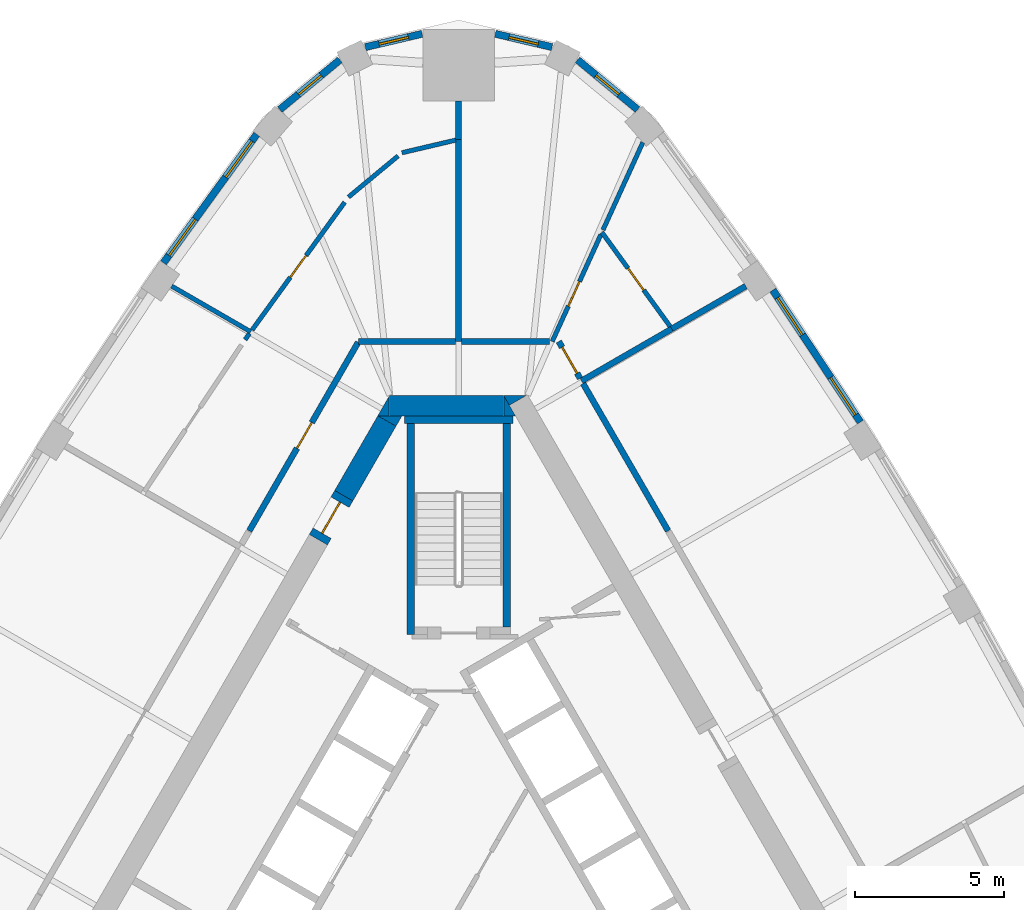
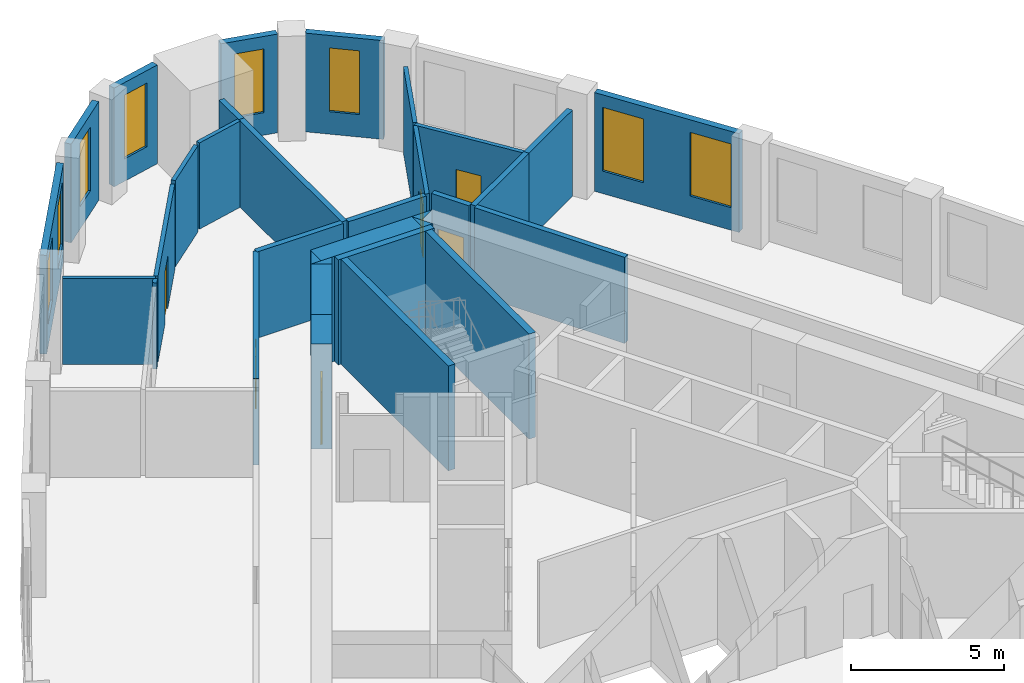
# One storey, part 8 of 10: 33 walls, 8 windows, 6 doors, 14 openings.
"""IFC4 building model written with IfcOpenShell, lengths in metres."""

import ifcopenshell
import ifcopenshell.guid

model = None  # the IFC model being written
_history = None  # IfcOwnerHistory: only IFC2X3 demands one
_inside = {}  # id of a spatial element -> (the spatial element, [elements in it])
_under = {}  # id of a project, library or spatial element -> (it, [spatial elements below it])
_declared = {}  # id of a project -> (the project, [libraries it declares])
_typed = {}  # id of a type object -> (the type object, [elements of that type])
_made_of = {}  # id of a material, layer set ... -> (it, [elements and type objects made of it])


def new_model(schema):
    """Start an empty IFC model of exactly this schema.

    Asked for "IFC4X3", IfcOpenShell would pick the latest addendum, in which some entities
    have other attributes; the version numbers below select the first issue.
    IFC2X3 requires an IfcOwnerHistory on every rooted entity: one is made here for all.
    """
    global model, _history
    if schema == "IFC4X3":
        model = ifcopenshell.file(schema_version=(4, 3, 0, 0))
    else:
        model = ifcopenshell.file(schema=schema)
    _inside.clear()
    _under.clear()
    _declared.clear()
    _typed.clear()
    _made_of.clear()
    _history = None
    if model.schema == "IFC2X3":
        org = make("IfcOrganization", Name="unknown")
        user = make(
            "IfcPersonAndOrganization",
            ThePerson=make("IfcPerson", FamilyName="unknown"),
            TheOrganization=org,
        )
        app = make(
            "IfcApplication",
            ApplicationDeveloper=org,
            Version="unknown",
            ApplicationFullName="unknown",
            ApplicationIdentifier="unknown",
        )
        _history = make(
            "IfcOwnerHistory",
            OwningUser=user,
            OwningApplication=app,
            ChangeAction="ADDED",
            CreationDate=0,
        )
    return model


def make(cls, **values):
    """One entity of the class cls with the attributes given. An attribute that is None is left unset."""
    return model.create_entity(
        cls, **{name: value for name, value in values.items() if value is not None}
    )


def rooted(cls, **values):
    """An entity with a GlobalId (a new one), such as an element, a storey or a relation."""
    return make(cls, GlobalId=ifcopenshell.guid.new(), OwnerHistory=_history, **values)


def si_unit(unit_type, name, prefix=None):
    """IfcSIUnit, for example si_unit("LENGTHUNIT", "METRE", prefix="MILLI")."""
    return make("IfcSIUnit", UnitType=unit_type, Prefix=prefix, Name=name)


def assignment(units):
    """IfcUnitAssignment: the units of a project."""
    return None if units is None else make("IfcUnitAssignment", Units=units)


def point(xyz):
    """IfcCartesianPoint."""
    return None if xyz is None else make("IfcCartesianPoint", Coordinates=xyz)


def direction(xyz):
    """IfcDirection."""
    return None if xyz is None else make("IfcDirection", DirectionRatios=xyz)


def frame(location, z_axis=None, x_axis=None):
    """IfcAxis2Placement3D, a coordinate frame: its origin and axes. An axis left out is left unset."""
    return make(
        "IfcAxis2Placement3D",
        Location=point(location),
        Axis=direction(z_axis),
        RefDirection=direction(x_axis),
    )


def frame_2d(location, x_axis=None):
    """IfcAxis2Placement2D, a coordinate frame in the plane: its origin and x axis."""
    return make(
        "IfcAxis2Placement2D", Location=point(location), RefDirection=direction(x_axis)
    )


def origin():
    """The frame at (0, 0, 0) with its axes left unset."""
    return frame((0.0, 0.0, 0.0))


def place(relative_to, where):
    """IfcLocalPlacement: puts the frame where relative to a parent placement (None: the world)."""
    return make(
        "IfcLocalPlacement", PlacementRelTo=relative_to, RelativePlacement=where
    )


def context(
    kind, dimensions, precision=None, world=None, true_north=None, identifier=None
):
    """IfcGeometricRepresentationContext, for example the 3D "Model" context."""
    return make(
        "IfcGeometricRepresentationContext",
        ContextIdentifier=identifier,
        ContextType=kind,
        CoordinateSpaceDimension=dimensions,
        Precision=precision,
        WorldCoordinateSystem=world,
        TrueNorth=true_north,
    )


def subcontext(parent, identifier, kind, view, scale=None):
    """IfcGeometricRepresentationSubContext, for example "Body" below "Model"."""
    return make(
        "IfcGeometricRepresentationSubContext",
        ContextIdentifier=identifier,
        ContextType=kind,
        ParentContext=parent,
        TargetScale=scale,
        TargetView=view,
    )


def project(units=None, contexts=None):
    """IfcProject with its units and contexts."""
    return rooted(
        "IfcProject",
        Name="project",
        RepresentationContexts=contexts,
        UnitsInContext=assignment(units),
    )


def spatial(cls, under=None, at=None, **own):
    """A site, building, storey or space (cls), placed at a placement, below another one or the project."""
    s = rooted(cls, ObjectPlacement=at, **own)
    if under is not None:
        _under.setdefault(under.id(), (under, []))[1].append(s)
    return s


def polyline(points):
    """IfcPolyline through the points."""
    return make("IfcPolyline", Points=[point(p) for p in points])


def profile(cls, at=None, kind="AREA", **sizes):
    """A parametric profile (cls). Its sizes go by their IFC names, for example OverallWidth=200.0."""
    return make(cls, ProfileType=kind, Position=at, **sizes)


def rectangle(**sizes):
    """IfcRectangleProfileDef."""
    return profile("IfcRectangleProfileDef", **sizes)


def outline(outer, holes=None, kind="AREA"):
    """IfcArbitraryClosedProfileDef: a profile drawn as a closed curve; with holes, ...WithVoids."""
    if holes is None:
        return make("IfcArbitraryClosedProfileDef", ProfileType=kind, OuterCurve=outer)
    return make(
        "IfcArbitraryProfileDefWithVoids",
        ProfileType=kind,
        OuterCurve=outer,
        InnerCurves=holes,
    )


def extrude(swept, where, along, depth):
    """IfcExtrudedAreaSolid: the profile swept, set in the frame where, extruded along a direction by depth."""
    return make(
        "IfcExtrudedAreaSolid",
        SweptArea=swept,
        Position=where,
        ExtrudedDirection=direction(along),
        Depth=depth,
    )


def shape(context_of_items, identifier, shape_type, items):
    """IfcShapeRepresentation: the items that make up one representation, for example the "Body"."""
    return make(
        "IfcShapeRepresentation",
        ContextOfItems=context_of_items,
        RepresentationIdentifier=identifier,
        RepresentationType=shape_type,
        Items=items,
    )


def material(Name=None, Category=None):
    """IfcMaterial."""
    return make("IfcMaterial", Name=Name, Category=Category)


def layer(
    of_material, thickness, ventilated=None, Name=None, Category=None, Priority=None
):
    """IfcMaterialLayer: one layer of a wall or slab, of a material (None: an air gap)."""
    return make(
        "IfcMaterialLayer",
        Material=of_material,
        LayerThickness=thickness,
        IsVentilated=ventilated,
        Name=Name,
        Category=Category,
        Priority=Priority,
    )


def layer_set(layers, Name=None):
    """IfcMaterialLayerSet."""
    return make("IfcMaterialLayerSet", MaterialLayers=layers, LayerSetName=Name)


def made_of(thing, what):
    """Note that an element or type object is made of a material, layer set ...; save() writes the relation."""
    if what is not None:
        _made_of.setdefault(what.id(), (what, []))[1].append(thing)
    return thing


def type_object(cls, material=None, **own):
    """A type object (cls), such as IfcWallType, which elements share."""
    return made_of(rooted(cls, **own), material)


def element(
    cls,
    number,
    at=None,
    inside=None,
    cuts=None,
    type_object=None,
    material=None,
    context=None,
    identifier="Body",
    shape_type=None,
    held_by="IfcProductDefinitionShape",
    body=None,
    shapes=None,
    **own,
):
    """One element of the class cls, such as IfcWall. Its Tag is "e" and its number.

    at: its placement. inside: the storey or other place that contains it. cuts: it is an
    opening in that element (IfcRelVoidsElement). A single representation is given by context,
    identifier, shape_type and body (its items); several are given by shapes. held_by: the class
    of the entity that holds the representations. save() writes the other relations.
    """
    e = rooted(cls, Tag="e%d" % number, ObjectPlacement=at, **own)
    if body is not None:
        shapes = [shape(context, identifier, shape_type, body)]
    if shapes is not None:
        e.Representation = make(held_by, Representations=shapes)
    if inside is not None:
        _inside.setdefault(inside.id(), (inside, []))[1].append(e)
    if cuts is not None:
        rooted(
            "IfcRelVoidsElement", RelatingBuildingElement=cuts, RelatedOpeningElement=e
        )
    if type_object is not None:
        _typed.setdefault(type_object.id(), (type_object, []))[1].append(e)
    return made_of(e, material)


def fill(opening, filler):
    """IfcRelFillsElement: the door or window that sits in an opening."""
    return rooted(
        "IfcRelFillsElement",
        RelatingOpeningElement=opening,
        RelatedBuildingElement=filler,
    )


def aggregate(whole, parts):
    """IfcRelAggregates: a whole, such as a stair, and the parts it consists of."""
    return rooted("IfcRelAggregates", RelatingObject=whole, RelatedObjects=parts)


def save(model, path):
    """Write the relations noted so far, then the file.

    IfcRelAggregates (storeys below a building ...), IfcRelContainedInSpatialStructure (elements
    in a storey), IfcRelDefinesByType, IfcRelAssociatesMaterial and IfcRelDeclares: one each for
    every whole, place, type object, material and project.
    """
    for whole, parts in _under.values():
        aggregate(whole, parts)
    for where, things in _inside.values():
        rooted(
            "IfcRelContainedInSpatialStructure",
            RelatedElements=things,
            RelatingStructure=where,
        )
    for kind, things in _typed.values():
        rooted("IfcRelDefinesByType", RelatedObjects=things, RelatingType=kind)
    for what, things in _made_of.values():
        rooted("IfcRelAssociatesMaterial", RelatedObjects=things, RelatingMaterial=what)
    for by, libraries in _declared.values():
        rooted("IfcRelDeclares", RelatingContext=by, RelatedDefinitions=libraries)
    model.write(path)


model = new_model("IFC4")

# Units and contexts
model_context = context("Model", 3, precision=1e-05, world=origin(), true_north=direction((0.0, 1.0)))
body_context = subcontext(model_context, "Body", "Model", "MODEL_VIEW")
ifc_project = project(units=[si_unit("LENGTHUNIT", "METRE"), si_unit("AREAUNIT", "SQUARE_METRE"), si_unit("VOLUMEUNIT", "CUBIC_METRE"), si_unit("PLANEANGLEUNIT", "RADIAN"), si_unit("MASSUNIT", "GRAM", prefix="KILO")], contexts=[model_context])

# Site, building, storey
site_placement = place(None, origin())
site = spatial("IfcSite", under=ifc_project, at=site_placement, CompositionType="ELEMENT")
building_placement = place(site_placement, origin())
building = spatial("IfcBuilding", under=site, at=building_placement, Name="Mestral Congress Tower", CompositionType="ELEMENT")
storey_placement = place(building_placement, frame((0.0, 0.0, 247.800048828125)))
storey = spatial("IfcBuildingStorey", under=building, at=storey_placement, Name="L58", CompositionType="ELEMENT", Elevation=247.800048828125)

# Walls
ifc_material_1 = material(Name="Concrete C60/75", Category="concrete")
ifc_layer_1 = layer(ifc_material_1, 0.699951171875)
ifc_layer_set_1 = layer_set([ifc_layer_1], Name="Concrete C60/75")
wall_type_1 = type_object("IfcWallType", Name="Core wall RC 700", PredefinedType="SOLIDWALL", material=ifc_layer_set_1)
placement = place(storey_placement, origin())
element("IfcWall", 1, at=placement, inside=storey, type_object=wall_type_1, Name="L58 core wall", PredefinedType="SOLIDWALL", context=body_context, shape_type="SweptSolid", body=[
    extrude(outline(polyline([(1.501220703125, 16.699951171875), (2.277099609375, 16.699951171875), (1.695068359375, 16.364013671875), (1.501220703125, 16.699951171875)])), origin(), (0.0, 0.0, 1.0), 4.199951171875),
])
wall_2_placement = place(storey_placement, frame((-2.323486328125, 16.35009765625, 0.0), z_axis=(0.0, 0.0, 1.0), x_axis=(1.0, 0.0, 0.0)))
element("IfcWall", 2, at=wall_2_placement, inside=storey, type_object=wall_type_1, Name="L58 core wall", PredefinedType="SOLIDWALL", context=body_context, shape_type="SweptSolid", body=[
    extrude(rectangle(XDim=3.828857421875, YDim=0.699951171875, at=frame_2d((1.91455078125, 0.0))), origin(), (0.0, 0.0, 1.0), 4.199951171875),
])
element("IfcWall", 3, at=placement, inside=storey, type_object=wall_type_1, Name="L58 core wall", PredefinedType="SOLIDWALL", context=body_context, shape_type="SweptSolid", body=[
    extrude(outline(polyline([(1.9052734375, 16.0), (1.50732421875, 16.0), (1.50732421875, 16.689208984375), (1.9052734375, 16.0)])), origin(), (0.0, 0.0, 1.0), 4.199951171875),
])
element("IfcWall", 4, at=placement, inside=storey, type_object=wall_type_1, Name="L58 core wall", PredefinedType="SOLIDWALL", context=body_context, shape_type="SweptSolid", body=[
    extrude(outline(polyline([(-2.71337890625, 16.0), (-2.325439453125, 16.672119140625), (-2.325439453125, 16.0), (-2.71337890625, 16.0)])), origin(), (0.0, 0.0, 1.0), 4.199951171875),
])
wall_5_placement = place(storey_placement, frame((-2.4033203125, 15.837158203125, 0.0), z_axis=(0.0, 0.0, 1.0), x_axis=(-0.500008214683, -0.866020660983, 0.0)))
element("IfcWall", 5, at=wall_5_placement, inside=storey, type_object=wall_type_1, Name="L58 core wall", PredefinedType="SOLIDWALL", context=body_context, shape_type="SweptSolid", body=[
    extrude(rectangle(XDim=2.88427734375, YDim=0.699951171875, at=frame_2d((1.442138671875, 0.0))), origin(), (0.0, 0.0, 1.0), 4.199951171875),
])
element("IfcWall", 6, at=placement, inside=storey, type_object=wall_type_1, Name="L58 core wall", PredefinedType="SOLIDWALL", context=body_context, shape_type="SweptSolid", body=[
    extrude(outline(polyline([(-1.9052734375, 16.0), (-2.099365234375, 15.6640625), (-2.681396484375, 16.0), (-1.9052734375, 16.0)])), origin(), (0.0, 0.0, 1.0), 4.199951171875),
])

# Wall, opening, door
wall_7_placement = place(storey_placement, frame((-4.695556640625, 11.866943359375, 0.0), z_axis=(0.0, 0.0, 1.0), x_axis=(0.499892348375, 0.866087547558, 0.0)))
wall_7 = element("IfcWall", 7, at=wall_7_placement, inside=storey, type_object=wall_type_1, Name="L58 door wall", PredefinedType="SOLIDWALL", context=body_context, shape_type="SweptSolid", body=[
    extrude(rectangle(XDim=1.699951171875, YDim=0.699951171875, at=frame_2d((0.85009765625, 0.0))), origin(), (0.0, 0.0, 1.0), 4.199951171875),
])
opening_1_placement = place(wall_7_placement, frame((0.25, 0.0, 0.0)))
opening_1 = element("IfcOpeningElement", 8, at=opening_1_placement, cuts=wall_7, Name="Opening XD2", PredefinedType="OPENING", context=body_context, shape_type="SweptSolid", body=[
    extrude(rectangle(XDim=1.199951171875, YDim=2.10009765625, at=frame_2d((0.60009765625, 1.050048828125))), frame((0.0, 0.35986328125, 0.0), z_axis=(0.0, -1.0, 0.0), x_axis=(1.0, 0.0, 0.0)), (0.0, 0.0, 1.0), 0.719970703125),
])
ifc_material_2 = material(Name="Fire-rated steel door set", Category="steel")
door_type_1 = type_object("IfcDoorType", Name="Core door XD 1200x2100", OperationType="SINGLE_SWING_LEFT", PredefinedType="DOOR", material=ifc_material_2)
door_1_placement = place(opening_1_placement, origin())
door_1 = element("IfcDoor", 9, at=door_1_placement, inside=storey, type_object=door_type_1, Name="Door XD2", OperationType="SINGLE_SWING_LEFT", OverallHeight=2.10009765625, OverallWidth=1.199951171875, PredefinedType="DOOR", context=body_context, shape_type="SweptSolid", body=[
    extrude(rectangle(XDim=1.199951171875, YDim=2.10009765625, at=frame_2d((0.60009765625, 1.050048828125))), frame((0.0, 0.02490234375, 0.0), z_axis=(0.0, -1.0, 0.0), x_axis=(1.0, 0.0, 0.0)), (0.0, 0.0, 1.0), 0.050048828125),
])
fill(opening_1, door_1)

# Wall, openings, windows
ifc_material_3 = material(Name="Precast concrete C40/50 with limestone facing", Category="masonry")
ifc_layer_2 = layer(ifc_material_3, 0.239990234375)
ifc_layer_set_2 = layer_set([ifc_layer_2], Name="Precast concrete C40/50 with limestone facing")
wall_type_2 = type_object("IfcWallType", Name="Facade stone wall 240", PredefinedType="SOLIDWALL", material=ifc_layer_set_2)
wall_8_placement = place(storey_placement, frame((13.442138671875, 15.803466796875, 0.0), z_axis=(0.0, 0.0, 1.0), x_axis=(-0.552901821755, 0.833246407433, 0.0)))
wall_8 = element("IfcWall", 10, at=wall_8_placement, inside=storey, type_object=wall_type_2, Name="Facade wall F1-04", PredefinedType="SOLIDWALL", context=body_context, shape_type="SweptSolid", body=[
    extrude(rectangle(XDim=5.29833984375, YDim=0.239990234375, at=frame_2d((2.649169921875, 0.0))), origin(), (0.0, 0.0, 1.0), 3.949951171875),
])
opening_2_placement = place(wall_8_placement, frame((0.294677734375, 0.0, 0.89990234375)))
opening_2 = element("IfcOpeningElement", 11, at=opening_2_placement, cuts=wall_8, Name="Opening W4", PredefinedType="OPENING", context=body_context, shape_type="SweptSolid", body=[
    extrude(rectangle(XDim=1.5, YDim=2.550048828125, at=frame_2d((0.75, 1.27490234375))), frame((0.0, 0.1298828125, 0.0), z_axis=(0.0, -1.0, 0.0), x_axis=(1.0, 0.0, 0.0)), (0.0, 0.0, 1.0), 0.260009765625),
])
opening_3_placement = place(wall_8_placement, frame((3.50390625, 0.0, 0.89990234375)))
opening_3 = element("IfcOpeningElement", 12, at=opening_3_placement, cuts=wall_8, Name="Opening W4", PredefinedType="OPENING", context=body_context, shape_type="SweptSolid", body=[
    extrude(rectangle(XDim=1.5, YDim=2.550048828125, at=frame_2d((0.75, 1.27490234375))), frame((0.0, 0.1298828125, 0.0), z_axis=(0.0, -1.0, 0.0), x_axis=(1.0, 0.0, 0.0)), (0.0, 0.0, 1.0), 0.260009765625),
])
ifc_material_4 = material(Name="Clear low-emissivity double glazing", Category="glass")
window_type_1 = type_object("IfcWindowType", Name="Facade punched window 1500 x 2550 sill 900", PartitioningType="SINGLE_PANEL", PredefinedType="WINDOW", material=ifc_material_4)
window_1_placement = place(opening_2_placement, origin())
window_1 = element("IfcWindow", 13, at=window_1_placement, inside=storey, type_object=window_type_1, Name="Window F1-04a", OverallHeight=2.550048828125, OverallWidth=1.5, PartitioningType="SINGLE_PANEL", PredefinedType="WINDOW", context=body_context, shape_type="SweptSolid", body=[
    extrude(rectangle(XDim=1.5, YDim=2.550048828125, at=frame_2d((0.75, 1.27490234375))), frame((0.0, 0.0400390625, 0.0), z_axis=(0.0, -1.0, 0.0), x_axis=(1.0, 0.0, 0.0)), (0.0, 0.0, 1.0), 0.06005859375),
])
fill(opening_2, window_1)
window_2_placement = place(opening_3_placement, origin())
window_2 = element("IfcWindow", 14, at=window_2_placement, inside=storey, type_object=window_type_1, Name="Window F1-04b", OverallHeight=2.550048828125, OverallWidth=1.5, PartitioningType="SINGLE_PANEL", PredefinedType="WINDOW", context=body_context, shape_type="SweptSolid", body=[
    extrude(rectangle(XDim=1.5, YDim=2.550048828125, at=frame_2d((0.75, 1.27490234375))), frame((0.0, 0.0400390625, 0.0), z_axis=(0.0, -1.0, 0.0), x_axis=(1.0, 0.0, 0.0)), (0.0, 0.0, 1.0), 0.06005859375),
])
fill(opening_3, window_2)

# Wall, opening, window
wall_9_placement = place(storey_placement, frame((5.986572265625, 26.259033203125, 0.0), z_axis=(0.0, 0.0, 1.0), x_axis=(-0.769990037733, 0.638055908045, 0.0)))
wall_9 = element("IfcWall", 15, at=wall_9_placement, inside=storey, type_object=wall_type_2, Name="Facade wall K1-0", PredefinedType="SOLIDWALL", context=body_context, shape_type="SweptSolid", body=[
    extrude(rectangle(XDim=2.609130859375, YDim=0.239990234375, at=frame_2d((1.3046875, 0.0))), origin(), (0.0, 0.0, 1.0), 3.949951171875),
])
opening_4_placement = place(wall_9_placement, frame((0.8046875, 0.0, 0.89990234375)))
opening_4 = element("IfcOpeningElement", 16, at=opening_4_placement, cuts=wall_9, Name="Opening W5", PredefinedType="OPENING", context=body_context, shape_type="SweptSolid", body=[
    extrude(rectangle(XDim=1.0, YDim=2.550048828125, at=frame_2d((0.5, 1.27490234375))), frame((0.0, 0.1298828125, 0.0), z_axis=(0.0, -1.0, 0.0), x_axis=(1.0, 0.0, 0.0)), (0.0, 0.0, 1.0), 0.260009765625),
])
window_type_2 = type_object("IfcWindowType", Name="Facade punched window 1000 x 2550 sill 900", PartitioningType="SINGLE_PANEL", PredefinedType="WINDOW", material=ifc_material_4)
window_3_placement = place(opening_4_placement, origin())
window_3 = element("IfcWindow", 17, at=window_3_placement, inside=storey, type_object=window_type_2, Name="Window K1-0", OverallHeight=2.550048828125, OverallWidth=1.0, PartitioningType="SINGLE_PANEL", PredefinedType="WINDOW", context=body_context, shape_type="SweptSolid", body=[
    extrude(rectangle(XDim=1.0, YDim=2.550048828125, at=frame_2d((0.5, 1.27490234375))), frame((0.0, 0.0400390625, 0.0), z_axis=(0.0, -1.0, 0.0), x_axis=(1.0, 0.0, 0.0)), (0.0, 0.0, 1.0), 0.06005859375),
])
fill(opening_4, window_3)

wall_10_placement = place(storey_placement, frame((3.123046875, 28.3486328125, 0.0), z_axis=(0.0, 0.0, 1.0), x_axis=(-0.973515706272, 0.228620142686, 0.0)))
wall_10 = element("IfcWall", 18, at=wall_10_placement, inside=storey, type_object=wall_type_2, Name="Facade wall K1-1", PredefinedType="SOLIDWALL", context=body_context, shape_type="SweptSolid", body=[
    extrude(rectangle(XDim=1.94775390625, YDim=0.239990234375, at=frame_2d((0.973876953125, 0.0))), origin(), (0.0, 0.0, 1.0), 3.949951171875),
])
opening_5_placement = place(wall_10_placement, frame((0.47412109375, 0.0, 0.89990234375)))
opening_5 = element("IfcOpeningElement", 19, at=opening_5_placement, cuts=wall_10, Name="Opening W5", PredefinedType="OPENING", context=body_context, shape_type="SweptSolid", body=[
    extrude(rectangle(XDim=1.0, YDim=2.550048828125, at=frame_2d((0.5, 1.27490234375))), frame((0.0, 0.1298828125, 0.0), z_axis=(0.0, -1.0, 0.0), x_axis=(1.0, 0.0, 0.0)), (0.0, 0.0, 1.0), 0.260009765625),
])
window_4_placement = place(opening_5_placement, origin())
window_4 = element("IfcWindow", 20, at=window_4_placement, inside=storey, type_object=window_type_2, Name="Window K1-1", OverallHeight=2.550048828125, OverallWidth=1.0, PartitioningType="SINGLE_PANEL", PredefinedType="WINDOW", context=body_context, shape_type="SweptSolid", body=[
    extrude(rectangle(XDim=1.0, YDim=2.550048828125, at=frame_2d((0.5, 1.27490234375))), frame((0.0, 0.0400390625, 0.0), z_axis=(0.0, -1.0, 0.0), x_axis=(1.0, 0.0, 0.0)), (0.0, 0.0, 1.0), 0.06005859375),
])
fill(opening_5, window_4)

wall_11_placement = place(storey_placement, frame((-1.226806640625, 28.7939453125, 0.0), z_axis=(0.0, 0.0, 1.0), x_axis=(-0.973515706272, -0.228620142686, 0.0)))
wall_11 = element("IfcWall", 21, at=wall_11_placement, inside=storey, type_object=wall_type_2, Name="Facade wall K1-2", PredefinedType="SOLIDWALL", context=body_context, shape_type="SweptSolid", body=[
    extrude(rectangle(XDim=1.94775390625, YDim=0.239990234375, at=frame_2d((0.973876953125, 0.0))), origin(), (0.0, 0.0, 1.0), 3.949951171875),
])
opening_6_placement = place(wall_11_placement, frame((0.47412109375, 0.0, 0.89990234375)))
opening_6 = element("IfcOpeningElement", 22, at=opening_6_placement, cuts=wall_11, Name="Opening W5", PredefinedType="OPENING", context=body_context, shape_type="SweptSolid", body=[
    extrude(rectangle(XDim=1.0, YDim=2.550048828125, at=frame_2d((0.5, 1.27490234375))), frame((0.0, 0.1298828125, 0.0), z_axis=(0.0, -1.0, 0.0), x_axis=(1.0, 0.0, 0.0)), (0.0, 0.0, 1.0), 0.260009765625),
])
window_5_placement = place(opening_6_placement, origin())
window_5 = element("IfcWindow", 23, at=window_5_placement, inside=storey, type_object=window_type_2, Name="Window K1-2", OverallHeight=2.550048828125, OverallWidth=1.0, PartitioningType="SINGLE_PANEL", PredefinedType="WINDOW", context=body_context, shape_type="SweptSolid", body=[
    extrude(rectangle(XDim=1.0, YDim=2.550048828125, at=frame_2d((0.5, 1.27490234375))), frame((0.0, 0.0400390625, 0.0), z_axis=(0.0, -1.0, 0.0), x_axis=(1.0, 0.0, 0.0)), (0.0, 0.0, 1.0), 0.06005859375),
])
fill(opening_6, window_5)

wall_12_placement = place(storey_placement, frame((-3.9775390625, 27.923828125, 0.0), z_axis=(0.0, 0.0, 1.0), x_axis=(-0.769990037733, -0.638055908045, 0.0)))
wall_12 = element("IfcWall", 24, at=wall_12_placement, inside=storey, type_object=wall_type_2, Name="Facade wall K1-3", PredefinedType="SOLIDWALL", context=body_context, shape_type="SweptSolid", body=[
    extrude(rectangle(XDim=2.609130859375, YDim=0.239990234375, at=frame_2d((1.3046875, 0.0))), origin(), (0.0, 0.0, 1.0), 3.949951171875),
])
opening_7_placement = place(wall_12_placement, frame((0.8046875, 0.0, 0.89990234375)))
opening_7 = element("IfcOpeningElement", 25, at=opening_7_placement, cuts=wall_12, Name="Opening W5", PredefinedType="OPENING", context=body_context, shape_type="SweptSolid", body=[
    extrude(rectangle(XDim=1.0, YDim=2.550048828125, at=frame_2d((0.5, 1.27490234375))), frame((0.0, 0.1298828125, 0.0), z_axis=(0.0, -1.0, 0.0), x_axis=(1.0, 0.0, 0.0)), (0.0, 0.0, 1.0), 0.260009765625),
])
window_6_placement = place(opening_7_placement, origin())
window_6 = element("IfcWindow", 26, at=window_6_placement, inside=storey, type_object=window_type_2, Name="Window K1-3", OverallHeight=2.550048828125, OverallWidth=1.0, PartitioningType="SINGLE_PANEL", PredefinedType="WINDOW", context=body_context, shape_type="SweptSolid", body=[
    extrude(rectangle(XDim=1.0, YDim=2.550048828125, at=frame_2d((0.5, 1.27490234375))), frame((0.0, 0.0400390625, 0.0), z_axis=(0.0, -1.0, 0.0), x_axis=(1.0, 0.0, 0.0)), (0.0, 0.0, 1.0), 0.06005859375),
])
fill(opening_7, window_6)

# Wall, openings, windows
wall_13_placement = place(storey_placement, frame((-6.760986328125, 25.431884765625, 0.0), z_axis=(0.0, 0.0, 1.0), x_axis=(-0.586998456641, -0.80958805074, 0.0)))
wall_13 = element("IfcWall", 27, at=wall_13_placement, inside=storey, type_object=wall_type_2, Name="Facade wall F2-00", PredefinedType="SOLIDWALL", context=body_context, shape_type="SweptSolid", body=[
    extrude(rectangle(XDim=5.310791015625, YDim=0.239990234375, at=frame_2d((2.6552734375, 0.0))), origin(), (0.0, 0.0, 1.0), 3.949951171875),
])
opening_8_placement = place(wall_13_placement, frame((0.271484375, 0.0, 0.89990234375)))
opening_8 = element("IfcOpeningElement", 28, at=opening_8_placement, cuts=wall_13, Name="Opening W4", PredefinedType="OPENING", context=body_context, shape_type="SweptSolid", body=[
    extrude(rectangle(XDim=1.5, YDim=2.550048828125, at=frame_2d((0.75, 1.27490234375))), frame((0.0, 0.1298828125, 0.0), z_axis=(0.0, -1.0, 0.0), x_axis=(1.0, 0.0, 0.0)), (0.0, 0.0, 1.0), 0.260009765625),
])
opening_9_placement = place(wall_13_placement, frame((3.50439453125, 0.0, 0.89990234375)))
opening_9 = element("IfcOpeningElement", 29, at=opening_9_placement, cuts=wall_13, Name="Opening W4", PredefinedType="OPENING", context=body_context, shape_type="SweptSolid", body=[
    extrude(rectangle(XDim=1.5, YDim=2.550048828125, at=frame_2d((0.75, 1.27490234375))), frame((0.0, 0.1298828125, 0.0), z_axis=(0.0, -1.0, 0.0), x_axis=(1.0, 0.0, 0.0)), (0.0, 0.0, 1.0), 0.260009765625),
])
window_7_placement = place(opening_8_placement, origin())
window_7 = element("IfcWindow", 30, at=window_7_placement, inside=storey, type_object=window_type_1, Name="Window F2-00a", OverallHeight=2.550048828125, OverallWidth=1.5, PartitioningType="SINGLE_PANEL", PredefinedType="WINDOW", context=body_context, shape_type="SweptSolid", body=[
    extrude(rectangle(XDim=1.5, YDim=2.550048828125, at=frame_2d((0.75, 1.27490234375))), frame((0.0, 0.0400390625, 0.0), z_axis=(0.0, -1.0, 0.0), x_axis=(1.0, 0.0, 0.0)), (0.0, 0.0, 1.0), 0.06005859375),
])
fill(opening_8, window_7)
window_8_placement = place(opening_9_placement, origin())
window_8 = element("IfcWindow", 31, at=window_8_placement, inside=storey, type_object=window_type_1, Name="Window F2-00b", OverallHeight=2.550048828125, OverallWidth=1.5, PartitioningType="SINGLE_PANEL", PredefinedType="WINDOW", context=body_context, shape_type="SweptSolid", body=[
    extrude(rectangle(XDim=1.5, YDim=2.550048828125, at=frame_2d((0.75, 1.27490234375))), frame((0.0, 0.0400390625, 0.0), z_axis=(0.0, -1.0, 0.0), x_axis=(1.0, 0.0, 0.0)), (0.0, 0.0, 1.0), 0.06005859375),
])
fill(opening_9, window_8)

# Wall, opening, door
ifc_material_5 = material(Name="Plasterboard partition on steel studs", Category="steel")
ifc_layer_3 = layer(ifc_material_5, 0.14990234375)
ifc_layer_set_3 = layer_set([ifc_layer_3], Name="Plasterboard partition on steel studs")
wall_type_3 = type_object("IfcWallType", Name="Office partition 150", PredefinedType="PARTITIONING", material=ifc_layer_set_3)
wall_14_placement = place(storey_placement, frame((4.791259765625, 22.15185546875, 0.0), z_axis=(0.0, 0.0, 1.0), x_axis=(0.586987127968, -0.809596264567, 0.0)))
wall_14 = element("IfcWall", 32, at=wall_14_placement, inside=storey, type_object=wall_type_3, Name="Partition", PredefinedType="PARTITIONING", context=body_context, shape_type="SweptSolid", body=[
    extrude(rectangle(XDim=3.88671875, YDim=0.14990234375, at=frame_2d((1.943359375, 0.0))), origin(), (0.0, 0.0, 1.0), 3.449951171875),
])
opening_10_placement = place(wall_14_placement, frame((1.486572265625, 0.0, 0.0)))
opening_10 = element("IfcOpeningElement", 33, at=opening_10_placement, cuts=wall_14, Name="Opening O09-009", PredefinedType="OPENING", context=body_context, shape_type="SweptSolid", body=[
    extrude(rectangle(XDim=0.89990234375, YDim=2.10009765625, at=frame_2d((0.449951171875, 1.050048828125))), frame((0.0, 0.0849609375, 0.0), z_axis=(0.0, -1.0, 0.0), x_axis=(1.0, 0.0, 0.0)), (0.0, 0.0, 1.0), 0.169921875),
])
ifc_material_6 = material(Name="Timber door set", Category="wood")
door_type_2 = type_object("IfcDoorType", Name="Office door 900x2100", OperationType="SINGLE_SWING_LEFT", PredefinedType="DOOR", material=ifc_material_6)
door_2_placement = place(opening_10_placement, origin())
door_2 = element("IfcDoor", 34, at=door_2_placement, inside=storey, type_object=door_type_2, Name="Door O09-009", OperationType="SINGLE_SWING_LEFT", OverallHeight=2.10009765625, OverallWidth=0.89990234375, PredefinedType="DOOR", context=body_context, shape_type="SweptSolid", body=[
    extrude(rectangle(XDim=0.89990234375, YDim=2.10009765625, at=frame_2d((0.449951171875, 1.050048828125))), frame((0.0, 0.02490234375, 0.0), z_axis=(0.0, -1.0, 0.0), x_axis=(1.0, 0.0, 0.0)), (0.0, 0.0, 1.0), 0.050048828125),
])
fill(opening_10, door_2)

# Wall
wall_15_placement = place(storey_placement, frame((4.826904296875, 22.230224609375, 0.0), z_axis=(0.0, 0.0, 1.0), x_axis=(0.414339921123, 0.91012220595, 0.0)))
element("IfcWall", 35, at=wall_15_placement, inside=storey, type_object=wall_type_3, Name="Partition", PredefinedType="PARTITIONING", context=body_context, shape_type="SweptSolid", body=[
    extrude(rectangle(XDim=3.219482421875, YDim=0.14990234375, at=frame_2d((1.60986328125, 0.0))), origin(), (0.0, 0.0, 1.0), 3.449951171875),
])

# Wall, opening, door
wall_16_placement = place(storey_placement, frame((3.12890625, 18.5, 0.0), z_axis=(0.0, 0.0, 1.0), x_axis=(0.414332290546, 0.910125679789, 0.0)))
wall_16 = element("IfcWall", 36, at=wall_16_placement, inside=storey, type_object=wall_type_3, Name="Partition", PredefinedType="PARTITIONING", context=body_context, shape_type="SweptSolid", body=[
    extrude(rectangle(XDim=3.926025390625, YDim=0.14990234375, at=frame_2d((1.962890625, 0.0))), origin(), (0.0, 0.0, 1.0), 3.449951171875),
])
opening_11_placement = place(wall_16_placement, frame((1.300048828125, 0.0, 0.0)))
opening_11 = element("IfcOpeningElement", 37, at=opening_11_placement, cuts=wall_16, Name="Opening O09-011", PredefinedType="OPENING", context=body_context, shape_type="SweptSolid", body=[
    extrude(rectangle(XDim=0.89990234375, YDim=2.10009765625, at=frame_2d((0.449951171875, 1.050048828125))), frame((0.0, 0.0849609375, 0.0), z_axis=(0.0, -1.0, 0.0), x_axis=(1.0, 0.0, 0.0)), (0.0, 0.0, 1.0), 0.169921875),
])
door_3_placement = place(opening_11_placement, origin())
door_3 = element("IfcDoor", 38, at=door_3_placement, inside=storey, type_object=door_type_2, Name="Door O09-011", OperationType="SINGLE_SWING_LEFT", OverallHeight=2.10009765625, OverallWidth=0.89990234375, PredefinedType="DOOR", context=body_context, shape_type="SweptSolid", body=[
    extrude(rectangle(XDim=0.89990234375, YDim=2.10009765625, at=frame_2d((0.449951171875, 1.050048828125))), frame((0.0, 0.02490234375, 0.0), z_axis=(0.0, -1.0, 0.0), x_axis=(1.0, 0.0, 0.0)), (0.0, 0.0, 1.0), 0.050048828125),
])
fill(opening_11, door_3)

# Walls
wall_17_placement = place(storey_placement, frame((-6.957763671875, 18.8232421875, 0.0), z_axis=(0.0, 0.0, 1.0), x_axis=(-0.866008752819, 0.500028839209, 0.0)))
element("IfcWall", 39, at=wall_17_placement, inside=storey, type_object=wall_type_3, Name="Partition", PredefinedType="PARTITIONING", context=body_context, shape_type="SweptSolid", body=[
    extrude(rectangle(XDim=3.057861328125, YDim=0.14990234375, at=frame_2d((1.52880859375, 0.0))), origin(), (0.0, 0.0, 1.0), 3.449951171875),
])
wall_18_placement = place(storey_placement, frame((-0.10009765625, 25.2373046875, 0.0), z_axis=(0.0, 0.0, 1.0), x_axis=(-0.973501996937, -0.22867851224, 0.0)))
element("IfcWall", 40, at=wall_18_placement, inside=storey, type_object=wall_type_3, Name="Partition", PredefinedType="PARTITIONING", context=body_context, shape_type="SweptSolid", body=[
    extrude(rectangle(XDim=1.84814453125, YDim=0.14990234375, at=frame_2d((0.924072265625, 0.0))), origin(), (0.0, 0.0, 1.0), 3.449951171875),
])
wall_19_placement = place(storey_placement, frame((-2.02880859375, 24.707275390625, 0.0), z_axis=(0.0, 0.0, 1.0), x_axis=(-0.769991356208, -0.63805431694, 0.0)))
element("IfcWall", 41, at=wall_19_placement, inside=storey, type_object=wall_type_3, Name="Partition", PredefinedType="PARTITIONING", context=body_context, shape_type="SweptSolid", body=[
    extrude(rectangle(XDim=2.15576171875, YDim=0.14990234375, at=frame_2d((1.077880859375, 0.0))), origin(), (0.0, 0.0, 1.0), 3.449951171875),
])

# Wall, opening, door
wall_20_placement = place(storey_placement, frame((-6.913330078125, 18.884521484375, 0.0), z_axis=(0.0, 0.0, 1.0), x_axis=(0.587002430779, 0.809585169244, 0.0)))
wall_20 = element("IfcWall", 42, at=wall_20_placement, inside=storey, type_object=wall_type_3, Name="Partition", PredefinedType="PARTITIONING", context=body_context, shape_type="SweptSolid", body=[
    extrude(rectangle(XDim=5.279052734375, YDim=0.14990234375, at=frame_2d((2.6396484375, 0.0))), origin(), (0.0, 0.0, 1.0), 3.449951171875),
])
opening_12_placement = place(wall_20_placement, frame((2.179443359375, 0.0, 0.0)))
opening_12 = element("IfcOpeningElement", 43, at=opening_12_placement, cuts=wall_20, Name="Opening O09-012", PredefinedType="OPENING", context=body_context, shape_type="SweptSolid", body=[
    extrude(rectangle(XDim=0.89990234375, YDim=2.10009765625, at=frame_2d((0.449951171875, 1.050048828125))), frame((0.0, 0.0849609375, 0.0), z_axis=(0.0, -1.0, 0.0), x_axis=(1.0, 0.0, 0.0)), (0.0, 0.0, 1.0), 0.169921875),
])
door_4_placement = place(opening_12_placement, origin())
door_4 = element("IfcDoor", 44, at=door_4_placement, inside=storey, type_object=door_type_2, Name="Door O09-012", OperationType="SINGLE_SWING_LEFT", OverallHeight=2.10009765625, OverallWidth=0.89990234375, PredefinedType="DOOR", context=body_context, shape_type="SweptSolid", body=[
    extrude(rectangle(XDim=0.89990234375, YDim=2.10009765625, at=frame_2d((0.449951171875, 1.050048828125))), frame((0.0, 0.02490234375, 0.0), z_axis=(0.0, -1.0, 0.0), x_axis=(1.0, 0.0, 0.0)), (0.0, 0.0, 1.0), 0.050048828125),
])
fill(opening_12, door_4)

# Walls
wall_21_placement = place(storey_placement, frame((-7.001953125, 18.76220703125, 0.0), z_axis=(0.0, 0.0, 1.0), x_axis=(-0.587529982795, -0.809202397004, 0.0)))
element("IfcWall", 45, at=wall_21_placement, inside=storey, type_object=wall_type_3, Name="Partition", PredefinedType="PARTITIONING", context=body_context, shape_type="SweptSolid", body=[
    extrude(rectangle(XDim=0.2490234375, YDim=0.14990234375, at=frame_2d((0.12451171875, 0.0))), origin(), (0.0, 0.0, 1.0), 3.449951171875),
])
ifc_material_7 = material(Name="Dense masonry wall, plastered", Category="masonry")
ifc_layer_4 = layer(ifc_material_7, 0.199951171875)
ifc_layer_set_4 = layer_set([ifc_layer_4], Name="Dense masonry wall, plastered")
wall_type_4 = type_object("IfcWallType", Name="Office tenancy wall 200", PredefinedType="PARTITIONING", material=ifc_layer_set_4)
wall_22_placement = place(storey_placement, frame((7.12841796875, 18.921875, 0.0), z_axis=(0.0, 0.0, 1.0), x_axis=(0.866023575777, 0.500003166188, 0.0)))
element("IfcWall", 46, at=wall_22_placement, inside=storey, type_object=wall_type_4, Name="Tenancy wall", PredefinedType="PARTITIONING", context=body_context, shape_type="SweptSolid", body=[
    extrude(rectangle(XDim=2.86083984375, YDim=0.199951171875, at=frame_2d((1.430419921875, 0.0))), origin(), (0.0, 0.0, 1.0), 3.449951171875),
])
wall_23_placement = place(storey_placement, frame((4.11083984375, 17.1796875, 0.0), z_axis=(0.0, 0.0, 1.0), x_axis=(0.866031916153, 0.499988720078, 0.0)))
element("IfcWall", 47, at=wall_23_placement, inside=storey, type_object=wall_type_4, Name="Tenancy wall", PredefinedType="PARTITIONING", context=body_context, shape_type="SweptSolid", body=[
    extrude(rectangle(XDim=3.4921875, YDim=0.199951171875, at=frame_2d((1.74609375, 0.0))), origin(), (0.0, 0.0, 1.0), 3.449951171875),
])
wall_24_placement = place(storey_placement, frame((7.007080078125, 12.1630859375, 0.0), z_axis=(0.0, 0.0, 1.0), x_axis=(-0.499986040413, 0.866033463206, 0.0)))
element("IfcWall", 48, at=wall_24_placement, inside=storey, type_object=wall_type_4, Name="Tenancy wall", PredefinedType="PARTITIONING", context=body_context, shape_type="SweptSolid", body=[
    extrude(rectangle(XDim=5.692626953125, YDim=0.199951171875, at=frame_2d((2.84619140625, 0.0))), origin(), (0.0, 0.0, 1.0), 3.449951171875),
])

# Wall, opening, door
wall_25_placement = place(storey_placement, frame((4.060791015625, 17.266357421875, 0.0), z_axis=(0.0, 0.0, 1.0), x_axis=(-0.49995489152, 0.866051445611, 0.0)))
wall_25 = element("IfcWall", 49, at=wall_25_placement, inside=storey, type_object=wall_type_4, Name="Tenancy wall", PredefinedType="PARTITIONING", context=body_context, shape_type="SweptSolid", body=[
    extrude(rectangle(XDim=1.424560546875, YDim=0.199951171875, at=frame_2d((0.71240234375, 0.0))), origin(), (0.0, 0.0, 1.0), 3.449951171875),
])
opening_13_placement = place(wall_25_placement, frame((0.199951171875, 0.0, 0.0)))
opening_13 = element("IfcOpeningElement", 50, at=opening_13_placement, cuts=wall_25, Name="Opening O09-010", PredefinedType="OPENING", context=body_context, shape_type="SweptSolid", body=[
    extrude(rectangle(XDim=1.0, YDim=2.10009765625, at=frame_2d((0.5, 1.050048828125))), frame((0.0, 0.10986328125, 0.0), z_axis=(0.0, -1.0, 0.0), x_axis=(1.0, 0.0, 0.0)), (0.0, 0.0, 1.0), 0.219970703125),
])
ifc_material_8 = material(Name="Fire-rated timber door set", Category="wood")
door_type_3 = type_object("IfcDoorType", Name="Office tenancy entrance door 1000x2100", OperationType="SINGLE_SWING_LEFT", PredefinedType="DOOR", material=ifc_material_8)
door_5_placement = place(opening_13_placement, origin())
door_5 = element("IfcDoor", 51, at=door_5_placement, inside=storey, type_object=door_type_3, Name="Door O09-010", OperationType="SINGLE_SWING_LEFT", OverallHeight=2.10009765625, OverallWidth=1.0, PredefinedType="DOOR", context=body_context, shape_type="SweptSolid", body=[
    extrude(rectangle(XDim=1.0, YDim=2.10009765625, at=frame_2d((0.5, 1.050048828125))), frame((0.0, 0.02490234375, 0.0), z_axis=(0.0, -1.0, 0.0), x_axis=(1.0, 0.0, 0.0)), (0.0, 0.0, 1.0), 0.050048828125),
])
fill(opening_13, door_5)

# Walls
wall_26_placement = place(storey_placement, frame((0.0, 25.256591796875, 0.0), z_axis=(0.0, 0.0, 1.0), x_axis=(0.0, 1.0, 0.0)))
element("IfcWall", 52, at=wall_26_placement, inside=storey, type_object=wall_type_4, Name="Tenancy wall", PredefinedType="PARTITIONING", context=body_context, shape_type="SweptSolid", body=[
    extrude(rectangle(XDim=1.287841796875, YDim=0.199951171875, at=frame_2d((0.64404296875, 0.0))), origin(), (0.0, 0.0, 1.0), 3.449951171875),
])
wall_27_placement = place(storey_placement, frame((0.0, 18.5, 0.0), z_axis=(0.0, 0.0, 1.0), x_axis=(0.0, 1.0, 0.0)))
element("IfcWall", 53, at=wall_27_placement, inside=storey, type_object=wall_type_4, Name="Tenancy wall", PredefinedType="PARTITIONING", context=body_context, shape_type="SweptSolid", body=[
    extrude(rectangle(XDim=6.764892578125, YDim=0.199951171875, at=frame_2d((3.38232421875, 0.0))), origin(), (0.0, 0.0, 1.0), 3.449951171875),
])
wall_28_placement = place(storey_placement, frame((3.04638671875, 18.5, 0.0), z_axis=(0.0, 0.0, 1.0), x_axis=(-1.0, 0.0, 0.0)))
element("IfcWall", 54, at=wall_28_placement, inside=storey, type_object=wall_type_4, Name="Tenancy wall", PredefinedType="PARTITIONING", context=body_context, shape_type="SweptSolid", body=[
    extrude(rectangle(XDim=2.9462890625, YDim=0.199951171875, at=frame_2d((1.47314453125, 0.0))), origin(), (0.0, 0.0, 1.0), 3.449951171875),
])
wall_29_placement = place(storey_placement, frame((-0.10009765625, 18.5, 0.0), z_axis=(0.0, 0.0, 1.0), x_axis=(-1.0, 0.0, 0.0)))
element("IfcWall", 55, at=wall_29_placement, inside=storey, type_object=wall_type_4, Name="Tenancy wall", PredefinedType="PARTITIONING", context=body_context, shape_type="SweptSolid", body=[
    extrude(rectangle(XDim=3.24853515625, YDim=0.199951171875, at=frame_2d((1.624267578125, 0.0))), origin(), (0.0, 0.0, 1.0), 3.449951171875),
])

# Wall, opening, door
wall_30_placement = place(storey_placement, frame((-3.363525390625, 18.47412109375, 0.0), z_axis=(0.0, 0.0, 1.0), x_axis=(-0.499987324581, -0.866032721818, 0.0)))
wall_30 = element("IfcWall", 56, at=wall_30_placement, inside=storey, type_object=wall_type_4, Name="Tenancy wall", PredefinedType="PARTITIONING", context=body_context, shape_type="SweptSolid", body=[
    extrude(rectangle(XDim=7.287353515625, YDim=0.199951171875, at=frame_2d((3.6435546875, 0.0))), origin(), (0.0, 0.0, 1.0), 3.449951171875),
])
opening_14_placement = place(wall_30_placement, frame((3.10009765625, 0.0, 0.0)))
opening_14 = element("IfcOpeningElement", 57, at=opening_14_placement, cuts=wall_30, Name="Opening O09-014", PredefinedType="OPENING", context=body_context, shape_type="SweptSolid", body=[
    extrude(rectangle(XDim=1.0, YDim=2.10009765625, at=frame_2d((0.5, 1.050048828125))), frame((0.0, 0.10986328125, 0.0), z_axis=(0.0, -1.0, 0.0), x_axis=(1.0, 0.0, 0.0)), (0.0, 0.0, 1.0), 0.219970703125),
])
door_6_placement = place(opening_14_placement, origin())
door_6 = element("IfcDoor", 58, at=door_6_placement, inside=storey, type_object=door_type_3, Name="Door O09-014", OperationType="SINGLE_SWING_LEFT", OverallHeight=2.10009765625, OverallWidth=1.0, PredefinedType="DOOR", context=body_context, shape_type="SweptSolid", body=[
    extrude(rectangle(XDim=1.0, YDim=2.10009765625, at=frame_2d((0.5, 1.050048828125))), frame((0.0, 0.02490234375, 0.0), z_axis=(0.0, -1.0, 0.0), x_axis=(1.0, 0.0, 0.0)), (0.0, 0.0, 1.0), 0.050048828125),
])
fill(opening_14, door_6)

# Walls
ifc_layer_5 = layer(ifc_material_1, 0.25)
ifc_layer_set_5 = layer_set([ifc_layer_5], Name="Concrete C60/75")
wall_type_5 = type_object("IfcWallType", Name="Stair wall RC 250", PredefinedType="SOLIDWALL", material=ifc_layer_set_5)
wall_31_placement = place(storey_placement, frame((-1.81689453125, 15.875, 0.0), z_axis=(0.0, 0.0, 1.0), x_axis=(1.0, 0.0, 0.0)))
element("IfcWall", 59, at=wall_31_placement, inside=storey, type_object=wall_type_5, Name="L58 core wall", PredefinedType="SOLIDWALL", context=body_context, shape_type="SweptSolid", body=[
    extrude(rectangle(XDim=3.6337890625, YDim=0.25, at=frame_2d((1.81689453125, 0.0))), origin(), (0.0, 0.0, 1.0), 4.199951171875),
])
wall_32_placement = place(storey_placement, frame((1.60009765625, 8.949951171875, 0.0), z_axis=(0.0, 0.0, 1.0), x_axis=(0.0, 1.0, 0.0)))
element("IfcWall", 60, at=wall_32_placement, inside=storey, type_object=wall_type_5, Name="L58 core wall", PredefinedType="SOLIDWALL", context=body_context, shape_type="SweptSolid", body=[
    extrude(rectangle(XDim=6.800048828125, YDim=0.25, at=frame_2d((3.39990234375, 0.0))), origin(), (0.0, 0.0, 1.0), 4.199951171875),
])
wall_33_placement = place(storey_placement, frame((-1.60009765625, 8.699951171875, 0.0), z_axis=(0.0, 0.0, 1.0), x_axis=(0.0, 1.0, 0.0)))
element("IfcWall", 61, at=wall_33_placement, inside=storey, type_object=wall_type_5, Name="L58 core wall", PredefinedType="SOLIDWALL", context=body_context, shape_type="SweptSolid", body=[
    extrude(rectangle(XDim=7.050048828125, YDim=0.25, at=frame_2d((3.52490234375, 0.0))), origin(), (0.0, 0.0, 1.0), 4.199951171875),
])

save(model, "model.ifc")
